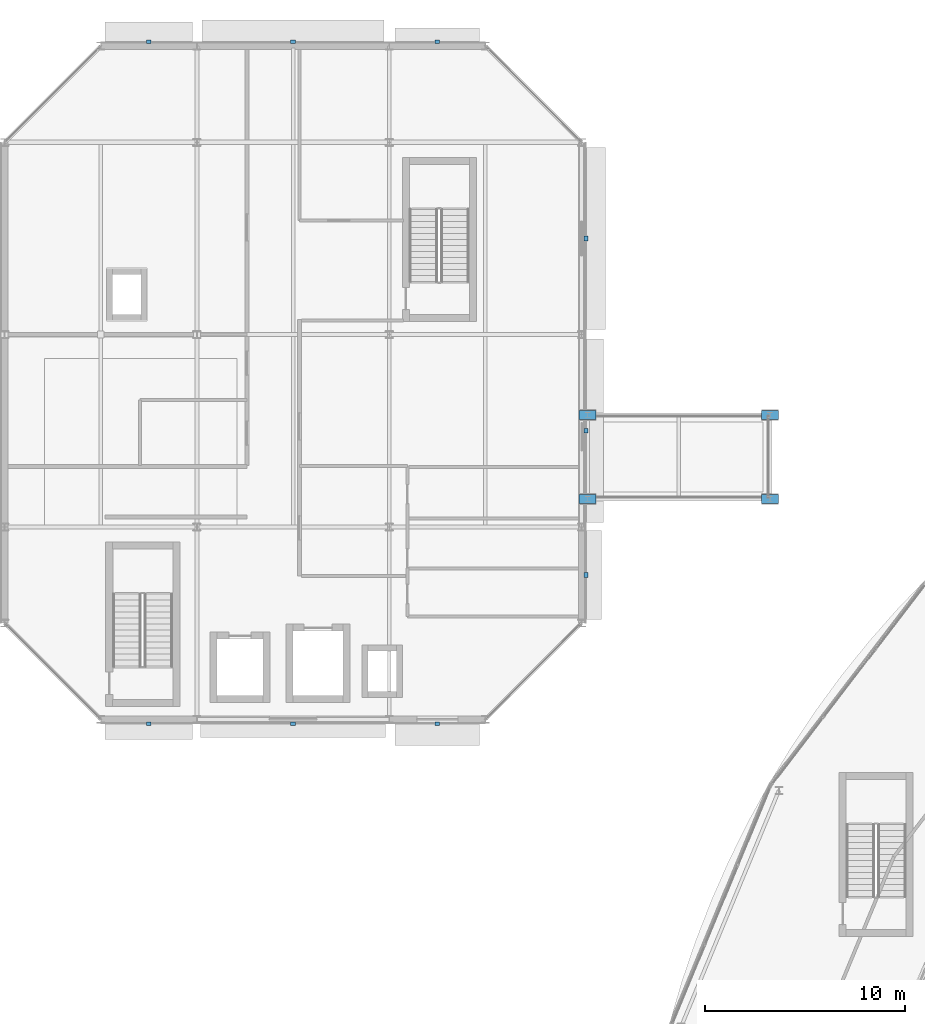
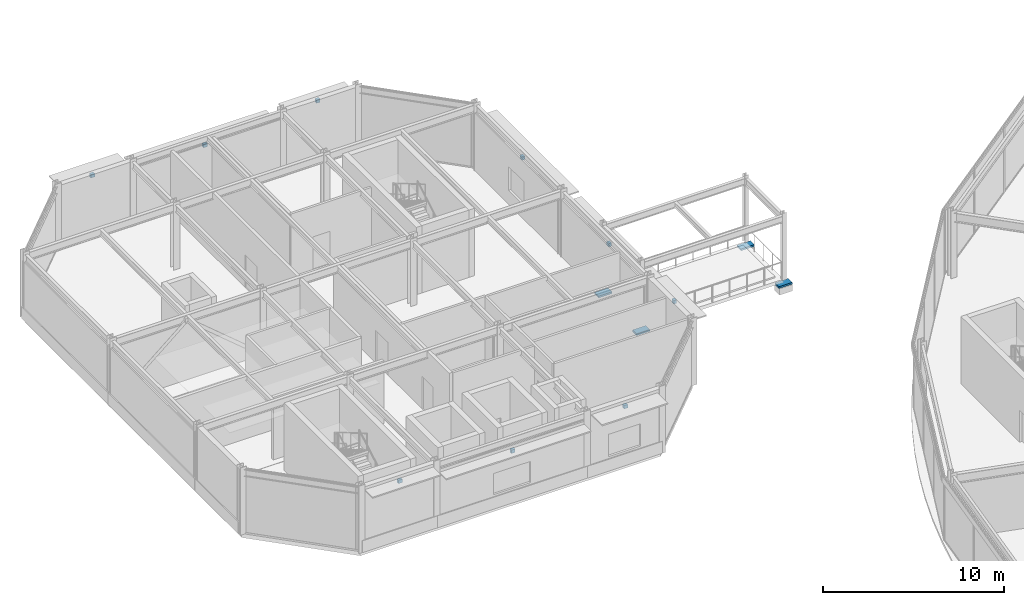
# One storey, part 132 of 157: 13 discrete accessories.
"""IFC4 building model written with IfcOpenShell, lengths in metres."""

from ifc_helpers import new_model, si_unit, direction, frame, origin, origin_2d, place, context, subcontext, project, spatial, rectangle, extrude, material, layer, layer_set, type_object, element, save


model = new_model("IFC4")

# Units and contexts
model_context = context("Model", 3, precision=1e-05, world=origin(), true_north=direction((0.0, 1.0)))
body_context = subcontext(model_context, "Body", "Model", "MODEL_VIEW")
ifc_project = project(units=[si_unit("LENGTHUNIT", "METRE"), si_unit("AREAUNIT", "SQUARE_METRE"), si_unit("VOLUMEUNIT", "CUBIC_METRE"), si_unit("PLANEANGLEUNIT", "RADIAN"), si_unit("MASSUNIT", "GRAM", prefix="KILO")], contexts=[model_context])

# Site, building, storey
site_placement = place(None, origin())
site = spatial("IfcSite", under=ifc_project, at=site_placement, CompositionType="ELEMENT")
building_placement = place(site_placement, origin())
building = spatial("IfcBuilding", under=site, at=building_placement, Name="Almandine Court Research Institute", CompositionType="ELEMENT")
storey_placement = place(building_placement, frame((0.0, 0.0, 5.25)))
storey = spatial("IfcBuildingStorey", under=building, at=storey_placement, Name="L01", CompositionType="ELEMENT", Elevation=5.25)

# Discrete accessories
ifc_material_1 = material(Name="Galvanised Steel Facade Outrigger Bracket", Category="steel")
ifc_layer_1 = layer(ifc_material_1, 0.219970703125)
ifc_layer_set_1 = layer_set([ifc_layer_1], Name="Galvanised Steel Facade Outrigger Bracket")
discrete_accessory_type_1 = type_object("IfcDiscreteAccessoryType", Name="Acc-CHJ-BRACKET", PredefinedType="BRACKET", material=ifc_layer_set_1)
for number, where, z_axis, x_axis, name in (
    (1, (13.199951171875, 117.822021484375, 3.93994140625), (0.0, 0.0, 1.0), (1.0, 0.0, 0.0), "L01 Chhajja Outrigger Bracket 21"),
    (2, (20.39990234375, 117.822021484375, 3.4541015625), (0.0, 0.0, 1.0), (1.0, 0.0, 0.0), "L01 Chhajja Outrigger Bracket 22"),
    (3, (27.60009765625, 117.822021484375, 3.93994140625), (0.0, 0.0, 1.0), (1.0, 0.0, 0.0), "L01 Chhajja Outrigger Bracket 23"),
    (4, (35.02197265625, 91.199951171875, 3.93994140625), (0.0, 0.0, 1.0), (0.0, -1.0, 0.0), "L01 Chhajja Outrigger Bracket 24"),
    (5, (35.02197265625, 98.39990234375, 3.43212890625), (0.0, 0.0, 1.0), (0.0, -1.0, 0.0), "L01 Chhajja Outrigger Bracket 25"),
    (6, (35.02197265625, 108.0, 3.4541015625), (0.0, 0.0, 1.0), (0.0, -1.0, 0.0), "L01 Chhajja Outrigger Bracket 26"),
    (7, (27.60009765625, 83.778076171875, 3.93994140625), (0.0, 0.0, 1.0), (-1.0, 0.0, 0.0), "L01 Chhajja Outrigger Bracket 27"),
    (8, (20.39990234375, 83.778076171875, 3.4541015625), (0.0, 0.0, 1.0), (-1.0, 0.0, 0.0), "L01 Chhajja Outrigger Bracket 28"),
    (9, (13.199951171875, 83.778076171875, 3.93994140625), (0.0, 0.0, 1.0), (-1.0, 0.0, 0.0), "L01 Chhajja Outrigger Bracket 29"),
):
    element("IfcDiscreteAccessory", number, at=place(storey_placement, frame(where, z_axis=z_axis, x_axis=x_axis)), inside=storey, type_object=discrete_accessory_type_1, Name=name, PredefinedType="BRACKET", context=body_context, shape_type="SweptSolid", body=[
        extrude(rectangle(XDim=0.239990234375, YDim=0.179931640625, at=origin_2d()), origin(), (0.0, 0.0, 1.0), 0.219970703125),
    ])
ifc_material_2 = material(Name="Elastomeric PTFE Sliding Bearing Assembly")
ifc_layer_2 = layer(ifc_material_2, 0.1201171875)
ifc_layer_set_2 = layer_set([ifc_layer_2], Name="Elastomeric PTFE Sliding Bearing Assembly")
discrete_accessory_type_2 = type_object("IfcDiscreteAccessoryType", Name="Acc-PTFE-Bearing", PredefinedType="BRACKET", material=ifc_layer_set_2)
for number, where, z_axis, x_axis, name in (
    (10, (35.10009765625, 95.0, -0.35009765625), (0.0, 0.0, 1.0), (1.0, 0.0, 0.0), "Unguided PTFE Multi-Directional Sliding Bearing DAL-NW-1-1"),
    (11, (35.10009765625, 99.199951171875, -0.35009765625), (0.0, 0.0, 1.0), (1.0, 0.0, 0.0), "Unguided PTFE Multi-Directional Sliding Bearing DAL-NW-1-2"),
    (12, (44.199951171875, 95.0, -0.35009765625), (0.0, 0.0, 1.0), (1.0, 0.0, 0.0), "Unguided PTFE Multi-Directional Sliding Bearing DAL-NW-2-1"),
    (13, (44.199951171875, 99.199951171875, -0.35009765625), (0.0, 0.0, 1.0), (1.0, 0.0, 0.0), "Unguided PTFE Multi-Directional Sliding Bearing DAL-NW-2-2"),
):
    element("IfcDiscreteAccessory", number, at=place(storey_placement, frame(where, z_axis=z_axis, x_axis=x_axis)), inside=storey, type_object=discrete_accessory_type_2, Name=name, PredefinedType="BRACKET", context=body_context, shape_type="SweptSolid", body=[
        extrude(rectangle(XDim=0.85009765625, YDim=0.449951171875, at=origin_2d()), origin(), (0.0, 0.0, 1.0), 0.1201171875),
    ])

save(model, "model.ifc")
